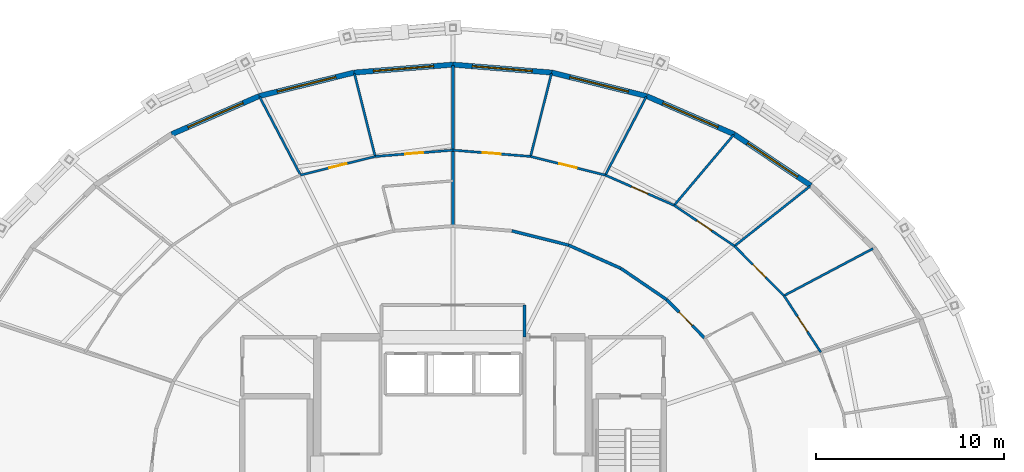
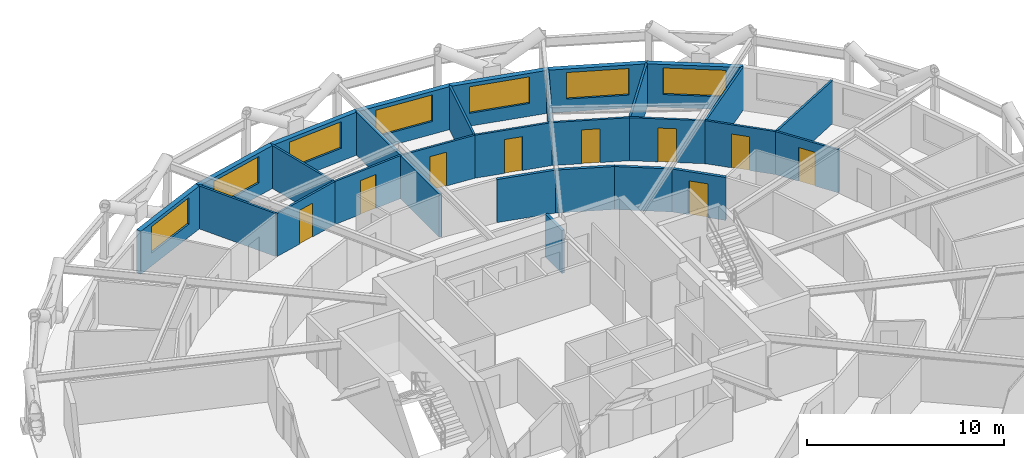
# One storey, part 19 of 23: 28 walls, 9 doors, 7 windows, 16 openings.
"""IFC4 building model written with IfcOpenShell, lengths in metres."""

from ifc_helpers import new_model, si_unit, direction, frame, frame_2d, origin, place, context, subcontext, project, spatial, rectangle, extrude, material, layer, layer_set, type_object, element, fill, save


model = new_model("IFC4")

# Units and contexts
model_context = context("Model", 3, precision=1e-05, world=origin(), true_north=direction((0.0, 1.0)))
body_context = subcontext(model_context, "Body", "Model", "MODEL_VIEW")
ifc_project = project(units=[si_unit("LENGTHUNIT", "METRE"), si_unit("AREAUNIT", "SQUARE_METRE"), si_unit("VOLUMEUNIT", "CUBIC_METRE"), si_unit("PLANEANGLEUNIT", "RADIAN"), si_unit("MASSUNIT", "GRAM", prefix="KILO")], contexts=[model_context])

# Site, building, storey
site_placement = place(None, origin())
site = spatial("IfcSite", under=ifc_project, at=site_placement, CompositionType="ELEMENT")
building_placement = place(site_placement, origin())
building = spatial("IfcBuilding", under=site, at=building_placement, Name="Veldorina Hangang Commons", CompositionType="ELEMENT")
storey_placement = place(building_placement, frame((0.0, 0.0, 102.39990234375)))
storey = spatial("IfcBuildingStorey", under=building, at=storey_placement, Name="L26", CompositionType="ELEMENT", Elevation=102.39990234375)

# Wall, opening, window
ifc_material_1 = material(Name="Stone Roman Travertine", Category="masonry")
ifc_layer_1 = layer(ifc_material_1, 0.280029296875)
ifc_layer_set_1 = layer_set([ifc_layer_1], Name="Stone Roman Travertine")
wall_type_1 = type_object("IfcWallType", Name="EW-TRAV-280", PredefinedType="STANDARD", material=ifc_layer_set_1)
wall_1_placement = place(storey_placement, frame((50.99267578125, 39.495361328125, 0.0), z_axis=(0.0, 0.0, 1.0), x_axis=(-0.830936801798, 0.556366813728, 0.0)))
wall_1 = element("IfcWall", 1, at=wall_1_placement, inside=storey, type_object=wall_type_1, Name="L26 travertine facade wall 04", PredefinedType="STANDARD", context=body_context, shape_type="SweptSolid", body=[
    extrude(rectangle(XDim=4.8984375, YDim=0.280029296875, at=frame_2d((2.44921875, 0.0))), origin(), (0.0, 0.0, 1.0), 2.670166015625),
])
opening_1_placement = place(wall_1_placement, frame((0.84912109375, 0.0, 0.800048828125)))
opening_1 = element("IfcOpeningElement", 2, at=opening_1_placement, cuts=wall_1, Name="Opening W-01", PredefinedType="OPENING", context=body_context, shape_type="SweptSolid", body=[
    extrude(rectangle(XDim=3.199951171875, YDim=1.64990234375, at=frame_2d((1.60009765625, 0.824951171875))), frame((0.0, 0.14990234375, 0.0), z_axis=(0.0, -1.0, 0.0), x_axis=(1.0, 0.0, 0.0)), (0.0, 0.0, 1.0), 0.300048828125),
])
ifc_material_2 = material(Name="Glass Low-E Triple IGU", Category="glass")
window_type = type_object("IfcWindowType", Name="WIN-TWR-3200", PartitioningType="SINGLE_PANEL", PredefinedType="WINDOW", material=ifc_material_2)
window_1_placement = place(opening_1_placement, origin())
window_1 = element("IfcWindow", 3, at=window_1_placement, inside=storey, type_object=window_type, Name="L26 facade window 04", OverallHeight=1.64990234375, OverallWidth=3.199951171875, PartitioningType="SINGLE_PANEL", PredefinedType="WINDOW", context=body_context, shape_type="SweptSolid", body=[
    extrude(rectangle(XDim=3.199951171875, YDim=1.64990234375, at=frame_2d((1.60009765625, 0.824951171875))), frame((0.0, 0.030029296875, 0.0), z_axis=(0.0, -1.0, 0.0), x_axis=(1.0, 0.0, 0.0)), (0.0, 0.0, 1.0), 0.06005859375),
])
fill(opening_1, window_1)

wall_2_placement = place(storey_placement, frame((46.92236328125, 42.220703125, 0.0), z_axis=(0.0, 0.0, 1.0), x_axis=(-0.916638922048, 0.399716257596, 0.0)))
wall_2 = element("IfcWall", 4, at=wall_2_placement, inside=storey, type_object=wall_type_1, Name="L26 travertine facade wall 05", PredefinedType="STANDARD", context=body_context, shape_type="SweptSolid", body=[
    extrude(rectangle(XDim=5.06591796875, YDim=0.280029296875, at=frame_2d((2.532958984375, 0.0))), origin(), (0.0, 0.0, 1.0), 2.670166015625),
])
opening_2_placement = place(wall_2_placement, frame((0.93310546875, 0.0, 0.800048828125)))
opening_2 = element("IfcOpeningElement", 5, at=opening_2_placement, cuts=wall_2, Name="Opening W-01", PredefinedType="OPENING", context=body_context, shape_type="SweptSolid", body=[
    extrude(rectangle(XDim=3.199951171875, YDim=1.64990234375, at=frame_2d((1.60009765625, 0.824951171875))), frame((0.0, 0.14990234375, 0.0), z_axis=(0.0, -1.0, 0.0), x_axis=(1.0, 0.0, 0.0)), (0.0, 0.0, 1.0), 0.300048828125),
])
window_2_placement = place(opening_2_placement, origin())
window_2 = element("IfcWindow", 6, at=window_2_placement, inside=storey, type_object=window_type, Name="L26 facade window 05", OverallHeight=1.64990234375, OverallWidth=3.199951171875, PartitioningType="SINGLE_PANEL", PredefinedType="WINDOW", context=body_context, shape_type="SweptSolid", body=[
    extrude(rectangle(XDim=3.199951171875, YDim=1.64990234375, at=frame_2d((1.60009765625, 0.824951171875))), frame((0.0, 0.030029296875, 0.0), z_axis=(0.0, -1.0, 0.0), x_axis=(1.0, 0.0, 0.0)), (0.0, 0.0, 1.0), 0.06005859375),
])
fill(opening_2, window_2)

wall_3_placement = place(storey_placement, frame((42.27880859375, 44.24560546875, 0.0), z_axis=(0.0, 0.0, 1.0), x_axis=(-0.970712490552, 0.240244168891, 0.0)))
wall_3 = element("IfcWall", 7, at=wall_3_placement, inside=storey, type_object=wall_type_1, Name="L26 travertine facade wall 06", PredefinedType="STANDARD", context=body_context, shape_type="SweptSolid", body=[
    extrude(rectangle(XDim=5.19091796875, YDim=0.280029296875, at=frame_2d((2.595458984375, 0.0))), origin(), (0.0, 0.0, 1.0), 2.670166015625),
])
opening_3_placement = place(wall_3_placement, frame((0.995361328125, 0.0, 0.800048828125)))
opening_3 = element("IfcOpeningElement", 8, at=opening_3_placement, cuts=wall_3, Name="Opening W-01", PredefinedType="OPENING", context=body_context, shape_type="SweptSolid", body=[
    extrude(rectangle(XDim=3.199951171875, YDim=1.64990234375, at=frame_2d((1.60009765625, 0.824951171875))), frame((0.0, 0.14990234375, 0.0), z_axis=(0.0, -1.0, 0.0), x_axis=(1.0, 0.0, 0.0)), (0.0, 0.0, 1.0), 0.300048828125),
])
window_3_placement = place(opening_3_placement, origin())
window_3 = element("IfcWindow", 9, at=window_3_placement, inside=storey, type_object=window_type, Name="L26 facade window 06", OverallHeight=1.64990234375, OverallWidth=3.199951171875, PartitioningType="SINGLE_PANEL", PredefinedType="WINDOW", context=body_context, shape_type="SweptSolid", body=[
    extrude(rectangle(XDim=3.199951171875, YDim=1.64990234375, at=frame_2d((1.60009765625, 0.824951171875))), frame((0.0, 0.030029296875, 0.0), z_axis=(0.0, -1.0, 0.0), x_axis=(1.0, 0.0, 0.0)), (0.0, 0.0, 1.0), 0.06005859375),
])
fill(opening_3, window_3)

wall_4_placement = place(storey_placement, frame((37.239990234375, 45.49267578125, 0.0), z_axis=(0.0, 0.0, 1.0), x_axis=(-0.996785824627, 0.080112544727, 0.0)))
wall_4 = element("IfcWall", 10, at=wall_4_placement, inside=storey, type_object=wall_type_1, Name="L26 travertine facade wall 07", PredefinedType="STANDARD", context=body_context, shape_type="SweptSolid", body=[
    extrude(rectangle(XDim=5.2568359375, YDim=0.280029296875, at=frame_2d((2.62841796875, 0.0))), origin(), (0.0, 0.0, 1.0), 2.670166015625),
])
opening_4_placement = place(wall_4_placement, frame((1.0283203125, 0.0, 0.800048828125)))
opening_4 = element("IfcOpeningElement", 11, at=opening_4_placement, cuts=wall_4, Name="Opening W-01", PredefinedType="OPENING", context=body_context, shape_type="SweptSolid", body=[
    extrude(rectangle(XDim=3.199951171875, YDim=1.64990234375, at=frame_2d((1.60009765625, 0.824951171875))), frame((0.0, 0.14990234375, 0.0), z_axis=(0.0, -1.0, 0.0), x_axis=(1.0, 0.0, 0.0)), (0.0, 0.0, 1.0), 0.300048828125),
])
window_4_placement = place(opening_4_placement, origin())
window_4 = element("IfcWindow", 12, at=window_4_placement, inside=storey, type_object=window_type, Name="L26 facade window 07", OverallHeight=1.64990234375, OverallWidth=3.199951171875, PartitioningType="SINGLE_PANEL", PredefinedType="WINDOW", context=body_context, shape_type="SweptSolid", body=[
    extrude(rectangle(XDim=3.199951171875, YDim=1.64990234375, at=frame_2d((1.60009765625, 0.824951171875))), frame((0.0, 0.030029296875, 0.0), z_axis=(0.0, -1.0, 0.0), x_axis=(1.0, 0.0, 0.0)), (0.0, 0.0, 1.0), 0.06005859375),
])
fill(opening_4, window_4)

wall_5_placement = place(storey_placement, frame((32.0, 45.913818359375, 0.0), z_axis=(0.0, 0.0, 1.0), x_axis=(-0.996785824627, -0.080112544727, 0.0)))
wall_5 = element("IfcWall", 13, at=wall_5_placement, inside=storey, type_object=wall_type_1, Name="L26 travertine facade wall 08", PredefinedType="STANDARD", context=body_context, shape_type="SweptSolid", body=[
    extrude(rectangle(XDim=5.2568359375, YDim=0.280029296875, at=frame_2d((2.62841796875, 0.0))), origin(), (0.0, 0.0, 1.0), 2.670166015625),
])
opening_5_placement = place(wall_5_placement, frame((1.0283203125, 0.0, 0.800048828125)))
opening_5 = element("IfcOpeningElement", 14, at=opening_5_placement, cuts=wall_5, Name="Opening W-01", PredefinedType="OPENING", context=body_context, shape_type="SweptSolid", body=[
    extrude(rectangle(XDim=3.199951171875, YDim=1.64990234375, at=frame_2d((1.60009765625, 0.824951171875))), frame((0.0, 0.14990234375, 0.0), z_axis=(0.0, -1.0, 0.0), x_axis=(1.0, 0.0, 0.0)), (0.0, 0.0, 1.0), 0.300048828125),
])
window_5_placement = place(opening_5_placement, origin())
window_5 = element("IfcWindow", 15, at=window_5_placement, inside=storey, type_object=window_type, Name="L26 facade window 08", OverallHeight=1.64990234375, OverallWidth=3.199951171875, PartitioningType="SINGLE_PANEL", PredefinedType="WINDOW", context=body_context, shape_type="SweptSolid", body=[
    extrude(rectangle(XDim=3.199951171875, YDim=1.64990234375, at=frame_2d((1.60009765625, 0.824951171875))), frame((0.0, 0.030029296875, 0.0), z_axis=(0.0, -1.0, 0.0), x_axis=(1.0, 0.0, 0.0)), (0.0, 0.0, 1.0), 0.06005859375),
])
fill(opening_5, window_5)

wall_6_placement = place(storey_placement, frame((26.760009765625, 45.49267578125, 0.0), z_axis=(0.0, 0.0, 1.0), x_axis=(-0.970712490552, -0.240244168891, 0.0)))
wall_6 = element("IfcWall", 16, at=wall_6_placement, inside=storey, type_object=wall_type_1, Name="L26 travertine facade wall 09", PredefinedType="STANDARD", context=body_context, shape_type="SweptSolid", body=[
    extrude(rectangle(XDim=5.19091796875, YDim=0.280029296875, at=frame_2d((2.595458984375, 0.0))), origin(), (0.0, 0.0, 1.0), 2.670166015625),
])
opening_6_placement = place(wall_6_placement, frame((0.995361328125, 0.0, 0.800048828125)))
opening_6 = element("IfcOpeningElement", 17, at=opening_6_placement, cuts=wall_6, Name="Opening W-01", PredefinedType="OPENING", context=body_context, shape_type="SweptSolid", body=[
    extrude(rectangle(XDim=3.199951171875, YDim=1.64990234375, at=frame_2d((1.60009765625, 0.824951171875))), frame((0.0, 0.14990234375, 0.0), z_axis=(0.0, -1.0, 0.0), x_axis=(1.0, 0.0, 0.0)), (0.0, 0.0, 1.0), 0.300048828125),
])
window_6_placement = place(opening_6_placement, origin())
window_6 = element("IfcWindow", 18, at=window_6_placement, inside=storey, type_object=window_type, Name="L26 facade window 09", OverallHeight=1.64990234375, OverallWidth=3.199951171875, PartitioningType="SINGLE_PANEL", PredefinedType="WINDOW", context=body_context, shape_type="SweptSolid", body=[
    extrude(rectangle(XDim=3.199951171875, YDim=1.64990234375, at=frame_2d((1.60009765625, 0.824951171875))), frame((0.0, 0.030029296875, 0.0), z_axis=(0.0, -1.0, 0.0), x_axis=(1.0, 0.0, 0.0)), (0.0, 0.0, 1.0), 0.06005859375),
])
fill(opening_6, window_6)

wall_7_placement = place(storey_placement, frame((21.72119140625, 44.24560546875, 0.0), z_axis=(0.0, 0.0, 1.0), x_axis=(-0.916638922048, -0.399716257596, 0.0)))
wall_7 = element("IfcWall", 19, at=wall_7_placement, inside=storey, type_object=wall_type_1, Name="L26 travertine facade wall 10", PredefinedType="STANDARD", context=body_context, shape_type="SweptSolid", body=[
    extrude(rectangle(XDim=5.06591796875, YDim=0.280029296875, at=frame_2d((2.532958984375, 0.0))), origin(), (0.0, 0.0, 1.0), 2.670166015625),
])
opening_7_placement = place(wall_7_placement, frame((0.93310546875, 0.0, 0.800048828125)))
opening_7 = element("IfcOpeningElement", 20, at=opening_7_placement, cuts=wall_7, Name="Opening W-01", PredefinedType="OPENING", context=body_context, shape_type="SweptSolid", body=[
    extrude(rectangle(XDim=3.199951171875, YDim=1.64990234375, at=frame_2d((1.60009765625, 0.824951171875))), frame((0.0, 0.14990234375, 0.0), z_axis=(0.0, -1.0, 0.0), x_axis=(1.0, 0.0, 0.0)), (0.0, 0.0, 1.0), 0.300048828125),
])
window_7_placement = place(opening_7_placement, origin())
window_7 = element("IfcWindow", 21, at=window_7_placement, inside=storey, type_object=window_type, Name="L26 facade window 10", OverallHeight=1.64990234375, OverallWidth=3.199951171875, PartitioningType="SINGLE_PANEL", PredefinedType="WINDOW", context=body_context, shape_type="SweptSolid", body=[
    extrude(rectangle(XDim=3.199951171875, YDim=1.64990234375, at=frame_2d((1.60009765625, 0.824951171875))), frame((0.0, 0.030029296875, 0.0), z_axis=(0.0, -1.0, 0.0), x_axis=(1.0, 0.0, 0.0)), (0.0, 0.0, 1.0), 0.06005859375),
])
fill(opening_7, window_7)

# Wall
ifc_material_3 = material(Name="Gypsum Fire-Rated Twin Stud Wall", Category="gypsum")
ifc_layer_2 = layer(ifc_material_3, 0.159912109375)
ifc_layer_set_2 = layer_set([ifc_layer_2], Name="Gypsum Fire-Rated Twin Stud Wall")
wall_type_2 = type_object("IfcWallType", Name="WL-FIRE-160", PredefinedType="SOLIDWALL", material=ifc_layer_set_2)
wall_8_placement = place(storey_placement, frame((35.800048828125, 31.449951171875, 0.0), z_axis=(0.0, 0.0, 1.0), x_axis=(0.0, 1.0, 0.0)))
element("IfcWall", 22, at=wall_8_placement, inside=storey, type_object=wall_type_2, Name="L26 North lobby east wall 033", PredefinedType="SOLIDWALL", context=body_context, shape_type="SweptSolid", body=[
    extrude(rectangle(XDim=1.699951171875, YDim=0.159912109375, at=frame_2d((0.85009765625, 0.0))), origin(), (0.0, 0.0, 1.0), 2.670166015625),
])

# Wall, opening, door
wall_9_placement = place(storey_placement, frame((45.34521484375, 31.4169921875, 0.0), z_axis=(0.0, 0.0, 1.0), x_axis=(-0.702366174226, 0.711815816981, 0.0)))
wall_9 = element("IfcWall", 23, at=wall_9_placement, inside=storey, type_object=wall_type_2, Name="L26 Corridor outer wall 03 048", PredefinedType="SOLIDWALL", context=body_context, shape_type="SweptSolid", body=[
    extrude(rectangle(XDim=2.842041015625, YDim=0.159912109375, at=frame_2d((1.4208984375, 0.0))), origin(), (0.0, 0.0, 1.0), 2.670166015625),
])
opening_8_placement = place(wall_9_placement, frame((0.9208984375, 0.0, 0.0)))
opening_8 = element("IfcOpeningElement", 24, at=opening_8_placement, cuts=wall_9, Name="Opening D-06", PredefinedType="OPENING", context=body_context, shape_type="SweptSolid", body=[
    extrude(rectangle(XDim=1.0, YDim=2.10009765625, at=frame_2d((0.5, 1.050048828125))), frame((0.0, 0.08984375, 0.0), z_axis=(0.0, -1.0, 0.0), x_axis=(1.0, 0.0, 0.0)), (0.0, 0.0, 1.0), 0.179931640625),
])
ifc_material_4 = material(Name="Timber Fire-Rated Entrance Core", Category="wood")
door_type_1 = type_object("IfcDoorType", Name="DR-UNIT-1000", OperationType="SINGLE_SWING_LEFT", PredefinedType="DOOR", material=ifc_material_4)
door_1_placement = place(opening_8_placement, origin())
door_1 = element("IfcDoor", 25, at=door_1_placement, inside=storey, type_object=door_type_1, Name="L26 Cluster 3 entrance door 030", OperationType="SINGLE_SWING_RIGHT", OverallHeight=2.10009765625, OverallWidth=1.0, PredefinedType="DOOR", context=body_context, shape_type="SweptSolid", body=[
    extrude(rectangle(XDim=1.0, YDim=2.10009765625, at=frame_2d((0.5, 1.050048828125))), frame((0.0, 0.02490234375, 0.0), z_axis=(0.0, -1.0, 0.0), x_axis=(1.0, 0.0, 0.0)), (0.0, 0.0, 1.0), 0.050048828125),
])
fill(opening_8, door_1)

# Walls
wall_10_placement = place(storey_placement, frame((43.34912109375, 33.43994140625, 0.0), z_axis=(0.0, 0.0, 1.0), x_axis=(-0.825929039072, 0.563774088104, 0.0)))
element("IfcWall", 26, at=wall_10_placement, inside=storey, type_object=wall_type_2, Name="L26 Corridor outer wall 04 049", PredefinedType="SOLIDWALL", context=body_context, shape_type="SweptSolid", body=[
    extrude(rectangle(XDim=2.94482421875, YDim=0.159912109375, at=frame_2d((1.472412109375, 0.0))), origin(), (0.0, 0.0, 1.0), 2.670166015625),
])
wall_11_placement = place(storey_placement, frame((40.9169921875, 35.10009765625, 0.0), z_axis=(0.0, 0.0, 1.0), x_axis=(-0.913768445178, 0.406235434936, 0.0)))
element("IfcWall", 27, at=wall_11_placement, inside=storey, type_object=wall_type_2, Name="L26 Corridor outer wall 05 050", PredefinedType="SOLIDWALL", context=body_context, shape_type="SweptSolid", body=[
    extrude(rectangle(XDim=3.036865234375, YDim=0.159912109375, at=frame_2d((1.5185546875, 0.0))), origin(), (0.0, 0.0, 1.0), 2.670166015625),
])
wall_12_placement = place(storey_placement, frame((38.14208984375, 36.333740234375, 0.0), z_axis=(0.0, 0.0, 1.0), x_axis=(-0.969608333194, 0.244662380029, 0.0)))
element("IfcWall", 28, at=wall_12_placement, inside=storey, type_object=wall_type_2, Name="L26 Corridor outer wall 06 051", PredefinedType="SOLIDWALL", context=body_context, shape_type="SweptSolid", body=[
    extrude(rectangle(XDim=3.10546875, YDim=0.159912109375, at=frame_2d((1.552734375, 0.0))), origin(), (0.0, 0.0, 1.0), 2.670166015625),
])
wall_13_placement = place(storey_placement, frame((32.0, 37.35009765625, 0.0), z_axis=(0.0, 0.0, 1.0), x_axis=(0.0, 1.0, 0.0)))
element("IfcWall", 29, at=wall_13_placement, inside=storey, type_object=wall_type_2, Name="L26 Unit party wall 08 110", PredefinedType="SOLIDWALL", context=body_context, shape_type="SweptSolid", body=[
    extrude(rectangle(XDim=8.513671875, YDim=0.159912109375, at=frame_2d((4.2568359375, 0.0))), origin(), (0.0, 0.0, 1.0), 2.670166015625),
])

# Wall, opening, door
ifc_material_5 = material(Name="Gypsum Acoustic Stud Partition", Category="gypsum")
ifc_layer_3 = layer(ifc_material_5, 0.1201171875)
ifc_layer_set_3 = layer_set([ifc_layer_3], Name="Gypsum Acoustic Stud Partition")
wall_type_3 = type_object("IfcWallType", Name="WL-PART-120", PredefinedType="PARTITIONING", material=ifc_layer_set_3)
wall_14_placement = place(storey_placement, frame((51.52197265625, 30.649169921875, 0.0), z_axis=(0.0, 0.0, 1.0), x_axis=(-0.545007511922, 0.838431161127, 0.0)))
wall_14 = element("IfcWall", 30, at=wall_14_placement, inside=storey, type_object=wall_type_3, Name="L26 Cluster 3 bed 1 front wall 099", PredefinedType="PARTITIONING", context=body_context, shape_type="SweptSolid", body=[
    extrude(rectangle(XDim=3.582763671875, YDim=0.1201171875, at=frame_2d((1.79150390625, 0.0))), origin(), (0.0, 0.0, 1.0), 2.670166015625),
])
opening_9_placement = place(wall_14_placement, frame((1.31640625, 0.0, 0.0)))
opening_9 = element("IfcOpeningElement", 31, at=opening_9_placement, cuts=wall_14, Name="Opening D-02", PredefinedType="OPENING", context=body_context, shape_type="SweptSolid", body=[
    extrude(rectangle(XDim=0.949951171875, YDim=2.10009765625, at=frame_2d((0.47509765625, 1.050048828125))), frame((0.0, 0.070068359375, 0.0), z_axis=(0.0, -1.0, 0.0), x_axis=(1.0, 0.0, 0.0)), (0.0, 0.0, 1.0), 0.14013671875),
])
ifc_material_6 = material(Name="Timber Solid Core Acoustic", Category="wood")
door_type_2 = type_object("IfcDoorType", Name="DR-INT-950", OperationType="SINGLE_SWING_LEFT", PredefinedType="DOOR", material=ifc_material_6)
door_2_placement = place(opening_9_placement, origin())
door_2 = element("IfcDoor", 32, at=door_2_placement, inside=storey, type_object=door_type_2, Name="L26 Cluster 3 bed 1 door 031", OperationType="SINGLE_SWING_LEFT", OverallHeight=2.10009765625, OverallWidth=0.949951171875, PredefinedType="DOOR", context=body_context, shape_type="SweptSolid", body=[
    extrude(rectangle(XDim=0.949951171875, YDim=2.10009765625, at=frame_2d((0.47509765625, 1.050048828125))), frame((0.0, 0.02490234375, 0.0), z_axis=(0.0, -1.0, 0.0), x_axis=(1.0, 0.0, 0.0)), (0.0, 0.0, 1.0), 0.050048828125),
])
fill(opening_9, door_2)

wall_15_placement = place(storey_placement, frame((49.5693359375, 33.653076171875, 0.0), z_axis=(0.0, 0.0, 1.0), x_axis=(-0.706450168387, 0.707762784827, 0.0)))
wall_15 = element("IfcWall", 33, at=wall_15_placement, inside=storey, type_object=wall_type_3, Name="L26 Cluster 3 bed 2 front wall 100", PredefinedType="PARTITIONING", context=body_context, shape_type="SweptSolid", body=[
    extrude(rectangle(XDim=3.719970703125, YDim=0.1201171875, at=frame_2d((1.85986328125, 0.0))), origin(), (0.0, 0.0, 1.0), 2.670166015625),
])
opening_10_placement = place(wall_15_placement, frame((1.385009765625, 0.0, 0.0)))
opening_10 = element("IfcOpeningElement", 34, at=opening_10_placement, cuts=wall_15, Name="Opening D-02", PredefinedType="OPENING", context=body_context, shape_type="SweptSolid", body=[
    extrude(rectangle(XDim=0.949951171875, YDim=2.10009765625, at=frame_2d((0.47509765625, 1.050048828125))), frame((0.0, 0.070068359375, 0.0), z_axis=(0.0, -1.0, 0.0), x_axis=(1.0, 0.0, 0.0)), (0.0, 0.0, 1.0), 0.14013671875),
])
door_3_placement = place(opening_10_placement, origin())
door_3 = element("IfcDoor", 35, at=door_3_placement, inside=storey, type_object=door_type_2, Name="L26 Cluster 3 bed 2 door 032", OperationType="SINGLE_SWING_RIGHT", OverallHeight=2.10009765625, OverallWidth=0.949951171875, PredefinedType="DOOR", context=body_context, shape_type="SweptSolid", body=[
    extrude(rectangle(XDim=0.949951171875, YDim=2.10009765625, at=frame_2d((0.47509765625, 1.050048828125))), frame((0.0, 0.02490234375, 0.0), z_axis=(0.0, -1.0, 0.0), x_axis=(1.0, 0.0, 0.0)), (0.0, 0.0, 1.0), 0.050048828125),
])
fill(opening_10, door_3)

# Wall
wall_16_placement = place(storey_placement, frame((49.5693359375, 33.653076171875, 0.0), z_axis=(0.0, 0.0, 1.0), x_axis=(0.883826837668, 0.467814194973, 0.0)))
element("IfcWall", 36, at=wall_16_placement, inside=storey, type_object=wall_type_3, Name="L26 Cluster 3 bed divider 1 101", PredefinedType="PARTITIONING", context=body_context, shape_type="SweptSolid", body=[
    extrude(rectangle(XDim=5.33984375, YDim=0.1201171875, at=frame_2d((2.669921875, 0.0))), origin(), (0.0, 0.0, 1.0), 2.670166015625),
])

# Wall, opening, door
wall_17_placement = place(storey_placement, frame((46.94140625, 36.285888671875, 0.0), z_axis=(0.0, 0.0, 1.0), x_axis=(-0.828896296571, 0.55940229668, 0.0)))
wall_17 = element("IfcWall", 37, at=wall_17_placement, inside=storey, type_object=wall_type_3, Name="L26 Cluster 3 bed 3 front wall 102", PredefinedType="PARTITIONING", context=body_context, shape_type="SweptSolid", body=[
    extrude(rectangle(XDim=3.86279296875, YDim=0.1201171875, at=frame_2d((1.931396484375, 0.0))), origin(), (0.0, 0.0, 1.0), 2.670166015625),
])
opening_11_placement = place(wall_17_placement, frame((1.456298828125, 0.0, 0.0)))
opening_11 = element("IfcOpeningElement", 38, at=opening_11_placement, cuts=wall_17, Name="Opening D-02", PredefinedType="OPENING", context=body_context, shape_type="SweptSolid", body=[
    extrude(rectangle(XDim=0.949951171875, YDim=2.10009765625, at=frame_2d((0.47509765625, 1.050048828125))), frame((0.0, 0.070068359375, 0.0), z_axis=(0.0, -1.0, 0.0), x_axis=(1.0, 0.0, 0.0)), (0.0, 0.0, 1.0), 0.14013671875),
])
door_4_placement = place(opening_11_placement, origin())
door_4 = element("IfcDoor", 39, at=door_4_placement, inside=storey, type_object=door_type_2, Name="L26 Cluster 3 bed 3 door 033", OperationType="SINGLE_SWING_LEFT", OverallHeight=2.10009765625, OverallWidth=0.949951171875, PredefinedType="DOOR", context=body_context, shape_type="SweptSolid", body=[
    extrude(rectangle(XDim=0.949951171875, YDim=2.10009765625, at=frame_2d((0.47509765625, 1.050048828125))), frame((0.0, 0.02490234375, 0.0), z_axis=(0.0, -1.0, 0.0), x_axis=(1.0, 0.0, 0.0)), (0.0, 0.0, 1.0), 0.050048828125),
])
fill(opening_11, door_4)

# Wall
wall_18_placement = place(storey_placement, frame((46.94140625, 36.285888671875, 0.0), z_axis=(0.0, 0.0, 1.0), x_axis=(0.783824285958, 0.620982679905, 0.0)))
element("IfcWall", 40, at=wall_18_placement, inside=storey, type_object=wall_type_3, Name="L26 Cluster 3 bed divider 2 103", PredefinedType="PARTITIONING", context=body_context, shape_type="SweptSolid", body=[
    extrude(rectangle(XDim=5.118408203125, YDim=0.1201171875, at=frame_2d((2.55908203125, 0.0))), origin(), (0.0, 0.0, 1.0), 2.670166015625),
])

# Wall, opening, door
wall_19_placement = place(storey_placement, frame((43.739501953125, 38.44677734375, 0.0), z_axis=(0.0, 0.0, 1.0), x_axis=(-0.915498969217, 0.402320316865, 0.0)))
wall_19 = element("IfcWall", 41, at=wall_19_placement, inside=storey, type_object=wall_type_3, Name="L26 Cluster 3 bed 4 front wall 104", PredefinedType="PARTITIONING", context=body_context, shape_type="SweptSolid", body=[
    extrude(rectangle(XDim=3.990478515625, YDim=0.1201171875, at=frame_2d((1.9951171875, 0.0))), origin(), (0.0, 0.0, 1.0), 2.670166015625),
])
opening_12_placement = place(wall_19_placement, frame((1.520263671875, 0.0, 0.0)))
opening_12 = element("IfcOpeningElement", 42, at=opening_12_placement, cuts=wall_19, Name="Opening D-02", PredefinedType="OPENING", context=body_context, shape_type="SweptSolid", body=[
    extrude(rectangle(XDim=0.949951171875, YDim=2.10009765625, at=frame_2d((0.47509765625, 1.050048828125))), frame((0.0, 0.070068359375, 0.0), z_axis=(0.0, -1.0, 0.0), x_axis=(1.0, 0.0, 0.0)), (0.0, 0.0, 1.0), 0.14013671875),
])
door_5_placement = place(opening_12_placement, origin())
door_5 = element("IfcDoor", 43, at=door_5_placement, inside=storey, type_object=door_type_2, Name="L26 Cluster 3 bed 4 door 034", OperationType="SINGLE_SWING_RIGHT", OverallHeight=2.10009765625, OverallWidth=0.949951171875, PredefinedType="DOOR", context=body_context, shape_type="SweptSolid", body=[
    extrude(rectangle(XDim=0.949951171875, YDim=2.10009765625, at=frame_2d((0.47509765625, 1.050048828125))), frame((0.0, 0.02490234375, 0.0), z_axis=(0.0, -1.0, 0.0), x_axis=(1.0, 0.0, 0.0)), (0.0, 0.0, 1.0), 0.050048828125),
])
fill(opening_12, door_5)

# Wall
wall_20_placement = place(storey_placement, frame((43.739501953125, 38.44677734375, 0.0), z_axis=(0.0, 0.0, 1.0), x_axis=(0.644718627515, 0.764419970524, 0.0)))
element("IfcWall", 44, at=wall_20_placement, inside=storey, type_object=wall_type_3, Name="L26 Cluster 3 bed divider 3 105", PredefinedType="PARTITIONING", context=body_context, shape_type="SweptSolid", body=[
    extrude(rectangle(XDim=4.88671875, YDim=0.1201171875, at=frame_2d((2.443359375, 0.0))), origin(), (0.0, 0.0, 1.0), 2.670166015625),
])

# Wall, opening, door
wall_21_placement = place(storey_placement, frame((40.086181640625, 40.05224609375, 0.0), z_axis=(0.0, 0.0, 1.0), x_axis=(-0.970268919394, 0.242029386767, 0.0)))
wall_21 = element("IfcWall", 45, at=wall_21_placement, inside=storey, type_object=wall_type_3, Name="L26 Cluster 3 bed 5 front wall 106", PredefinedType="PARTITIONING", context=body_context, shape_type="SweptSolid", body=[
    extrude(rectangle(XDim=4.08544921875, YDim=0.1201171875, at=frame_2d((2.042724609375, 0.0))), origin(), (0.0, 0.0, 1.0), 2.670166015625),
])
opening_13_placement = place(wall_21_placement, frame((1.567626953125, 0.0, 0.0)))
opening_13 = element("IfcOpeningElement", 46, at=opening_13_placement, cuts=wall_21, Name="Opening D-02", PredefinedType="OPENING", context=body_context, shape_type="SweptSolid", body=[
    extrude(rectangle(XDim=0.949951171875, YDim=2.10009765625, at=frame_2d((0.47509765625, 1.050048828125))), frame((0.0, 0.070068359375, 0.0), z_axis=(0.0, -1.0, 0.0), x_axis=(1.0, 0.0, 0.0)), (0.0, 0.0, 1.0), 0.14013671875),
])
door_6_placement = place(opening_13_placement, origin())
door_6 = element("IfcDoor", 47, at=door_6_placement, inside=storey, type_object=door_type_2, Name="L26 Cluster 3 bed 5 door 035", OperationType="SINGLE_SWING_LEFT", OverallHeight=2.10009765625, OverallWidth=0.949951171875, PredefinedType="DOOR", context=body_context, shape_type="SweptSolid", body=[
    extrude(rectangle(XDim=0.949951171875, YDim=2.10009765625, at=frame_2d((0.47509765625, 1.050048828125))), frame((0.0, 0.02490234375, 0.0), z_axis=(0.0, -1.0, 0.0), x_axis=(1.0, 0.0, 0.0)), (0.0, 0.0, 1.0), 0.050048828125),
])
fill(opening_13, door_6)

# Wall
wall_22_placement = place(storey_placement, frame((40.086181640625, 40.05224609375, 0.0), z_axis=(0.0, 0.0, 1.0), x_axis=(0.463346351545, 0.886177272621, 0.0)))
element("IfcWall", 48, at=wall_22_placement, inside=storey, type_object=wall_type_3, Name="L26 Cluster 3 bed divider 4 107", PredefinedType="PARTITIONING", context=body_context, shape_type="SweptSolid", body=[
    extrude(rectangle(XDim=4.68212890625, YDim=0.1201171875, at=frame_2d((2.341064453125, 0.0))), origin(), (0.0, 0.0, 1.0), 2.670166015625),
])

# Wall, opening, door
wall_23_placement = place(storey_placement, frame((36.122314453125, 41.041015625, 0.0), z_axis=(0.0, 0.0, 1.0), x_axis=(-0.996734058242, 0.080754053401, 0.0)))
wall_23 = element("IfcWall", 49, at=wall_23_placement, inside=storey, type_object=wall_type_3, Name="L26 Cluster 3 bed 6 front wall 108", PredefinedType="PARTITIONING", context=body_context, shape_type="SweptSolid", body=[
    extrude(rectangle(XDim=4.1357421875, YDim=0.1201171875, at=frame_2d((2.06787109375, 0.0))), origin(), (0.0, 0.0, 1.0), 2.670166015625),
])
opening_14_placement = place(wall_23_placement, frame((1.593017578125, 0.0, 0.0)))
opening_14 = element("IfcOpeningElement", 50, at=opening_14_placement, cuts=wall_23, Name="Opening D-02", PredefinedType="OPENING", context=body_context, shape_type="SweptSolid", body=[
    extrude(rectangle(XDim=0.949951171875, YDim=2.10009765625, at=frame_2d((0.47509765625, 1.050048828125))), frame((0.0, 0.070068359375, 0.0), z_axis=(0.0, -1.0, 0.0), x_axis=(1.0, 0.0, 0.0)), (0.0, 0.0, 1.0), 0.14013671875),
])
door_7_placement = place(opening_14_placement, origin())
door_7 = element("IfcDoor", 51, at=door_7_placement, inside=storey, type_object=door_type_2, Name="L26 Cluster 3 bed 6 door 036", OperationType="SINGLE_SWING_RIGHT", OverallHeight=2.10009765625, OverallWidth=0.949951171875, PredefinedType="DOOR", context=body_context, shape_type="SweptSolid", body=[
    extrude(rectangle(XDim=0.949951171875, YDim=2.10009765625, at=frame_2d((0.47509765625, 1.050048828125))), frame((0.0, 0.02490234375, 0.0), z_axis=(0.0, -1.0, 0.0), x_axis=(1.0, 0.0, 0.0)), (0.0, 0.0, 1.0), 0.050048828125),
])
fill(opening_14, door_7)

# Wall
wall_24_placement = place(storey_placement, frame((36.122314453125, 41.041015625, 0.0), z_axis=(0.0, 0.0, 1.0), x_axis=(0.243509845791, 0.969898425096, 0.0)))
element("IfcWall", 52, at=wall_24_placement, inside=storey, type_object=wall_type_3, Name="L26 Cluster 3 bed divider 5 109", PredefinedType="PARTITIONING", context=body_context, shape_type="SweptSolid", body=[
    extrude(rectangle(XDim=4.539794921875, YDim=0.1201171875, at=frame_2d((2.27001953125, 0.0))), origin(), (0.0, 0.0, 1.0), 2.670166015625),
])

# Wall, opening, door
wall_25_placement = place(storey_placement, frame((32.0, 41.375, 0.0), z_axis=(0.0, 0.0, 1.0), x_axis=(-0.996734058242, -0.080754053401, 0.0)))
wall_25 = element("IfcWall", 53, at=wall_25_placement, inside=storey, type_object=wall_type_3, Name="L26 Cluster 4 bed 1 front wall 113", PredefinedType="PARTITIONING", context=body_context, shape_type="SweptSolid", body=[
    extrude(rectangle(XDim=4.1357421875, YDim=0.1201171875, at=frame_2d((2.06787109375, 0.0))), origin(), (0.0, 0.0, 1.0), 2.670166015625),
])
opening_15_placement = place(wall_25_placement, frame((1.593017578125, 0.0, 0.0)))
opening_15 = element("IfcOpeningElement", 54, at=opening_15_placement, cuts=wall_25, Name="Opening D-02", PredefinedType="OPENING", context=body_context, shape_type="SweptSolid", body=[
    extrude(rectangle(XDim=0.949951171875, YDim=2.10009765625, at=frame_2d((0.47509765625, 1.050048828125))), frame((0.0, 0.070068359375, 0.0), z_axis=(0.0, -1.0, 0.0), x_axis=(1.0, 0.0, 0.0)), (0.0, 0.0, 1.0), 0.14013671875),
])
door_8_placement = place(opening_15_placement, origin())
door_8 = element("IfcDoor", 55, at=door_8_placement, inside=storey, type_object=door_type_2, Name="L26 Cluster 4 bed 1 door 039", OperationType="SINGLE_SWING_LEFT", OverallHeight=2.10009765625, OverallWidth=0.949951171875, PredefinedType="DOOR", context=body_context, shape_type="SweptSolid", body=[
    extrude(rectangle(XDim=0.949951171875, YDim=2.10009765625, at=frame_2d((0.47509765625, 1.050048828125))), frame((0.0, 0.02490234375, 0.0), z_axis=(0.0, -1.0, 0.0), x_axis=(1.0, 0.0, 0.0)), (0.0, 0.0, 1.0), 0.050048828125),
])
fill(opening_15, door_8)

wall_26_placement = place(storey_placement, frame((27.877685546875, 41.041015625, 0.0), z_axis=(0.0, 0.0, 1.0), x_axis=(-0.970268919394, -0.242029386767, 0.0)))
wall_26 = element("IfcWall", 56, at=wall_26_placement, inside=storey, type_object=wall_type_3, Name="L26 Cluster 4 bed 2 front wall 114", PredefinedType="PARTITIONING", context=body_context, shape_type="SweptSolid", body=[
    extrude(rectangle(XDim=4.08544921875, YDim=0.1201171875, at=frame_2d((2.042724609375, 0.0))), origin(), (0.0, 0.0, 1.0), 2.670166015625),
])
opening_16_placement = place(wall_26_placement, frame((1.567626953125, 0.0, 0.0)))
opening_16 = element("IfcOpeningElement", 57, at=opening_16_placement, cuts=wall_26, Name="Opening D-02", PredefinedType="OPENING", context=body_context, shape_type="SweptSolid", body=[
    extrude(rectangle(XDim=0.949951171875, YDim=2.10009765625, at=frame_2d((0.47509765625, 1.050048828125))), frame((0.0, 0.070068359375, 0.0), z_axis=(0.0, -1.0, 0.0), x_axis=(1.0, 0.0, 0.0)), (0.0, 0.0, 1.0), 0.14013671875),
])
door_9_placement = place(opening_16_placement, origin())
door_9 = element("IfcDoor", 58, at=door_9_placement, inside=storey, type_object=door_type_2, Name="L26 Cluster 4 bed 2 door 040", OperationType="SINGLE_SWING_RIGHT", OverallHeight=2.10009765625, OverallWidth=0.949951171875, PredefinedType="DOOR", context=body_context, shape_type="SweptSolid", body=[
    extrude(rectangle(XDim=0.949951171875, YDim=2.10009765625, at=frame_2d((0.47509765625, 1.050048828125))), frame((0.0, 0.02490234375, 0.0), z_axis=(0.0, -1.0, 0.0), x_axis=(1.0, 0.0, 0.0)), (0.0, 0.0, 1.0), 0.050048828125),
])
fill(opening_16, door_9)

# Walls
wall_27_placement = place(storey_placement, frame((27.877685546875, 41.041015625, 0.0), z_axis=(0.0, 0.0, 1.0), x_axis=(-0.243509845791, 0.969898425096, 0.0)))
element("IfcWall", 59, at=wall_27_placement, inside=storey, type_object=wall_type_3, Name="L26 Cluster 4 bed divider 1 115", PredefinedType="PARTITIONING", context=body_context, shape_type="SweptSolid", body=[
    extrude(rectangle(XDim=4.539794921875, YDim=0.1201171875, at=frame_2d((2.27001953125, 0.0))), origin(), (0.0, 0.0, 1.0), 2.670166015625),
])
wall_28_placement = place(storey_placement, frame((23.913818359375, 40.05224609375, 0.0), z_axis=(0.0, 0.0, 1.0), x_axis=(-0.463346351545, 0.886177272621, 0.0)))
element("IfcWall", 60, at=wall_28_placement, inside=storey, type_object=wall_type_3, Name="L26 Cluster 4 bed divider 2 117", PredefinedType="PARTITIONING", context=body_context, shape_type="SweptSolid", body=[
    extrude(rectangle(XDim=4.68212890625, YDim=0.1201171875, at=frame_2d((2.341064453125, 0.0))), origin(), (0.0, 0.0, 1.0), 2.670166015625),
])

save(model, "model.ifc")
